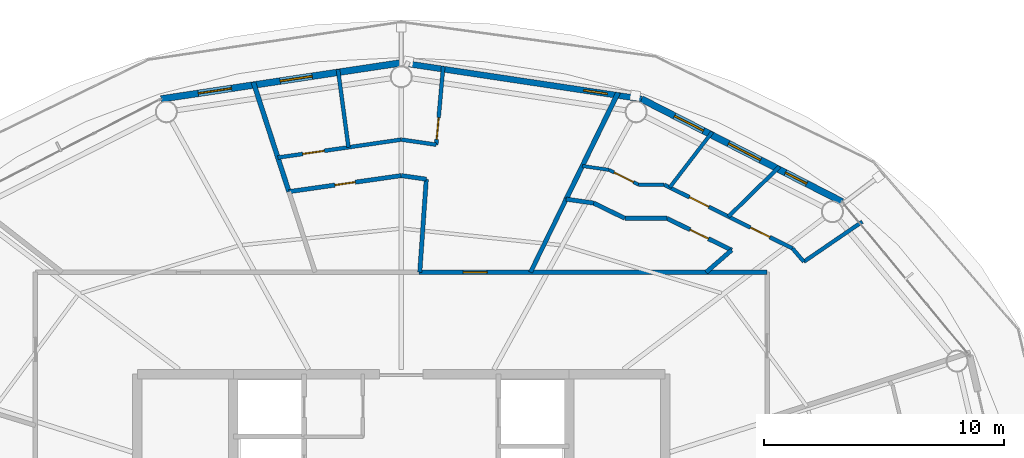
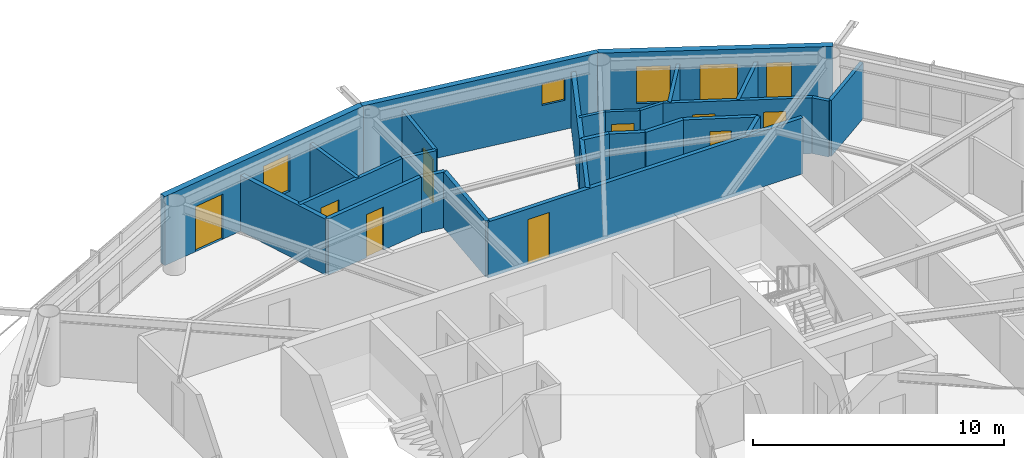
# One storey, part 19 of 23: 27 walls, 9 doors, 5 windows, 14 openings.
"""IFC4 building model written with IfcOpenShell, lengths in metres."""

from ifc_helpers import new_model, si_unit, direction, frame, frame_2d, origin, place, context, subcontext, project, spatial, rectangle, extrude, material, layer, layer_set, type_object, element, fill, save


model = new_model("IFC4")

# Units and contexts
model_context = context("Model", 3, precision=1e-05, world=origin(), true_north=direction((0.0, 1.0)))
body_context = subcontext(model_context, "Body", "Model", "MODEL_VIEW")
ifc_project = project(units=[si_unit("LENGTHUNIT", "METRE"), si_unit("AREAUNIT", "SQUARE_METRE"), si_unit("VOLUMEUNIT", "CUBIC_METRE"), si_unit("PLANEANGLEUNIT", "RADIAN"), si_unit("MASSUNIT", "GRAM", prefix="KILO")], contexts=[model_context])

# Site, building, storey
site_placement = place(None, origin())
site = spatial("IfcSite", under=ifc_project, at=site_placement, CompositionType="ELEMENT")
building_placement = place(site_placement, origin())
building = spatial("IfcBuilding", under=site, at=building_placement, Name="Sarneth Arch Tower", CompositionType="ELEMENT")
storey_placement = place(building_placement, frame((0.0, 0.0, 220.800048828125)))
storey = spatial("IfcBuildingStorey", under=building, at=storey_placement, Name="L56", CompositionType="ELEMENT", Elevation=220.800048828125)

# Wall, opening, door
ifc_material_1 = material(Name="Double steel-stud corridor fire wall", Category="steel")
ifc_layer_1 = layer(ifc_material_1, 0.18994140625)
ifc_layer_set_1 = layer_set([ifc_layer_1], Name="Double steel-stud corridor fire wall")
wall_type_1 = type_object("IfcWallType", Name="WALL-CORR-190", PredefinedType="PARTITIONING", material=ifc_layer_set_1)
wall_1_placement = place(storey_placement, frame((48.740478515625, 53.050048828125, 0.0), z_axis=(0.0, 0.0, 1.0), x_axis=(1.0, 0.0, 0.0)))
wall_1 = element("IfcWall", 1, at=wall_1_placement, inside=storey, type_object=wall_type_1, Name="L56 Interior partition W-L56-TP-003", PredefinedType="PARTITIONING", context=body_context, shape_type="SweptSolid", body=[
    extrude(rectangle(XDim=14.509521484375, YDim=0.18994140625, at=frame_2d((7.2548828125, 0.0))), origin(), (0.0, 0.0, 1.0), 2.719970703125),
])
opening_1_placement = place(wall_1_placement, frame((1.84228515625, 0.0, 0.0)))
opening_1 = element("IfcOpeningElement", 2, at=opening_1_placement, cuts=wall_1, Name="Opening FD-08", PredefinedType="OPENING", context=body_context, shape_type="SweptSolid", body=[
    extrude(rectangle(XDim=1.0, YDim=2.199951171875, at=frame_2d((0.5, 1.10009765625))), frame((0.0, 0.10498046875, 0.0), z_axis=(0.0, -1.0, 0.0), x_axis=(1.0, 0.0, 0.0)), (0.0, 0.0, 1.0), 0.2099609375),
])
ifc_material_2 = material(Name="Hardwood timber acoustic fire door", Category="wood")
door_type_1 = type_object("IfcDoorType", Name="DR-FD60-1000", OperationType="SINGLE_SWING_LEFT", PredefinedType="DOOR", material=ifc_material_2)
door_1_placement = place(opening_1_placement, origin())
door_1 = element("IfcDoor", 3, at=door_1_placement, inside=storey, type_object=door_type_1, Name="L56 Interior door DR-L56-U2-ENT", OperationType="SINGLE_SWING_RIGHT", OverallHeight=2.199951171875, OverallWidth=1.0, PredefinedType="DOOR", context=body_context, shape_type="SweptSolid", body=[
    extrude(rectangle(XDim=1.0, YDim=2.199951171875, at=frame_2d((0.5, 1.10009765625))), frame((0.0, 0.02490234375, 0.0), z_axis=(0.0, -1.0, 0.0), x_axis=(1.0, 0.0, 0.0)), (0.0, 0.0, 1.0), 0.050048828125),
])
fill(opening_1, door_1)

# Wall, opening, window
ifc_material_3 = material(Name="Extruded terracotta rainscreen on Concrete C40/50 backing", Category="masonry")
ifc_layer_2 = layer(ifc_material_3, 0.25)
ifc_layer_set_2 = layer_set([ifc_layer_2], Name="Extruded terracotta rainscreen on Concrete C40/50 backing")
wall_type_2 = type_object("IfcWallType", Name="WALL-EXT-SPAND-250", PredefinedType="SOLIDWALL", material=ifc_layer_set_2)
wall_2_placement = place(storey_placement, frame((58.0126953125, 60.2744140625, 0.0), z_axis=(0.0, 0.0, 1.0), x_axis=(-0.988882522213, 0.148698881169, 0.0)))
wall_2 = element("IfcWall", 4, at=wall_2_placement, inside=storey, type_object=wall_type_2, Name="L56 Terracotta perimeter wall 04", PredefinedType="SOLIDWALL", context=body_context, shape_type="SweptSolid", body=[
    extrude(rectangle(XDim=10.125244140625, YDim=0.25, at=frame_2d((5.0625, 0.0))), origin(), (0.0, 0.0, 1.0), 3.35986328125),
])
opening_2_placement = place(wall_2_placement, frame((1.439697265625, 0.0, 1.419921875)))
opening_2 = element("IfcOpeningElement", 5, at=opening_2_placement, cuts=wall_2, Name="Opening W-14", PredefinedType="OPENING", context=body_context, shape_type="SweptSolid", body=[
    extrude(rectangle(XDim=1.0, YDim=1.050048828125, at=frame_2d((0.5, 0.52490234375))), frame((0.0, 0.135009765625, 0.0), z_axis=(0.0, -1.0, 0.0), x_axis=(1.0, 0.0, 0.0)), (0.0, 0.0, 1.0), 0.27001953125),
])
ifc_material_4 = material(Name="Thermally broken Aluminium 6063-T6 and low-e laminated IGU", Category="aluminium")
window_type_1 = type_object("IfcWindowType", Name="WIN-TWR-1000x1050", PartitioningType="SINGLE_PANEL", PredefinedType="WINDOW", material=ifc_material_4)
window_1_placement = place(opening_2_placement, origin())
window_1 = element("IfcWindow", 6, at=window_1_placement, inside=storey, type_object=window_type_1, Name="L56 Dwelling bedroom window 01", OverallHeight=1.050048828125, OverallWidth=1.0, PartitioningType="SINGLE_PANEL", PredefinedType="WINDOW", context=body_context, shape_type="SweptSolid", body=[
    extrude(rectangle(XDim=1.0, YDim=1.050048828125, at=frame_2d((0.5, 0.52490234375))), frame((0.0, 0.030029296875, 0.0), z_axis=(0.0, -1.0, 0.0), x_axis=(1.0, 0.0, 0.0)), (0.0, 0.0, 1.0), 0.06005859375),
])
fill(opening_2, window_1)

# Wall, openings, windows
ifc_material_5 = material(Name="Extruded terracotta rainscreen on Concrete C40/50 backing", Category="masonry")
ifc_layer_3 = layer(ifc_material_5, 0.280029296875)
ifc_layer_set_3 = layer_set([ifc_layer_3], Name="Extruded terracotta rainscreen on Concrete C40/50 backing")
wall_type_3 = type_object("IfcWallType", Name="WALL-EXT-TERRA-280", PredefinedType="SOLIDWALL", material=ifc_layer_set_3)
wall_3_placement = place(storey_placement, frame((66.382568359375, 55.986572265625, 0.0), z_axis=(0.0, 0.0, 1.0), x_axis=(-0.890007394051, 0.455946091699, 0.0)))
wall_3 = element("IfcWall", 7, at=wall_3_placement, inside=storey, type_object=wall_type_3, Name="L56 Terracotta perimeter wall 03", PredefinedType="SOLIDWALL", context=body_context, shape_type="SweptSolid", body=[
    extrude(rectangle(XDim=9.404296875, YDim=0.280029296875, at=frame_2d((4.7021484375, 0.0))), origin(), (0.0, 0.0, 1.0), 3.35986328125),
])
opening_3_placement = place(wall_3_placement, frame((1.6611328125, 0.0, 0.85009765625)))
opening_3 = element("IfcOpeningElement", 8, at=opening_3_placement, cuts=wall_3, Name="Opening W-11", PredefinedType="OPENING", context=body_context, shape_type="SweptSolid", body=[
    extrude(rectangle(XDim=1.0, YDim=1.800048828125, at=frame_2d((0.5, 0.89990234375))), frame((0.0, 0.14990234375, 0.0), z_axis=(0.0, -1.0, 0.0), x_axis=(1.0, 0.0, 0.0)), (0.0, 0.0, 1.0), 0.300048828125),
])
opening_4_placement = place(wall_3_placement, frame((3.82275390625, 0.0, 0.85009765625)))
opening_4 = element("IfcOpeningElement", 9, at=opening_4_placement, cuts=wall_3, Name="Opening W-07", PredefinedType="OPENING", context=body_context, shape_type="SweptSolid", body=[
    extrude(rectangle(XDim=1.5, YDim=1.800048828125, at=frame_2d((0.75, 0.89990234375))), frame((0.0, 0.14990234375, 0.0), z_axis=(0.0, -1.0, 0.0), x_axis=(1.0, 0.0, 0.0)), (0.0, 0.0, 1.0), 0.300048828125),
])
opening_5_placement = place(wall_3_placement, frame((6.5029296875, 0.0, 0.85009765625)))
opening_5 = element("IfcOpeningElement", 10, at=opening_5_placement, cuts=wall_3, Name="Opening W-08", PredefinedType="OPENING", context=body_context, shape_type="SweptSolid", body=[
    extrude(rectangle(XDim=1.35009765625, YDim=1.800048828125, at=frame_2d((0.675048828125, 0.89990234375))), frame((0.0, 0.14990234375, 0.0), z_axis=(0.0, -1.0, 0.0), x_axis=(1.0, 0.0, 0.0)), (0.0, 0.0, 1.0), 0.300048828125),
])
ifc_material_6 = material(Name="Thermally broken Aluminium 6063-T6 and low-e laminated IGU", Category="aluminium")
window_type_2 = type_object("IfcWindowType", Name="WIN-TWR-1000x1800", PartitioningType="SINGLE_PANEL", PredefinedType="WINDOW", material=ifc_material_6)
window_2_placement = place(opening_3_placement, origin())
window_2 = element("IfcWindow", 11, at=window_2_placement, inside=storey, type_object=window_type_2, Name="L56 Exterior window 03A", OverallHeight=1.800048828125, OverallWidth=1.0, PartitioningType="SINGLE_PANEL", PredefinedType="WINDOW", context=body_context, shape_type="SweptSolid", body=[
    extrude(rectangle(XDim=1.0, YDim=1.800048828125, at=frame_2d((0.5, 0.89990234375))), frame((0.0, 0.030029296875, 0.0), z_axis=(0.0, -1.0, 0.0), x_axis=(1.0, 0.0, 0.0)), (0.0, 0.0, 1.0), 0.06005859375),
])
fill(opening_3, window_2)
ifc_material_7 = material(Name="Thermally broken Aluminium 6063-T6 and low-e laminated IGU", Category="aluminium")
window_type_3 = type_object("IfcWindowType", Name="WIN-TWR-1350x1800", PartitioningType="SINGLE_PANEL", PredefinedType="WINDOW", material=ifc_material_7)
window_3_placement = place(opening_5_placement, origin())
window_3 = element("IfcWindow", 12, at=window_3_placement, inside=storey, type_object=window_type_3, Name="L56 Exterior window 03C", OverallHeight=1.800048828125, OverallWidth=1.35009765625, PartitioningType="SINGLE_PANEL", PredefinedType="WINDOW", context=body_context, shape_type="SweptSolid", body=[
    extrude(rectangle(XDim=1.35009765625, YDim=1.800048828125, at=frame_2d((0.675048828125, 0.89990234375))), frame((0.0, 0.030029296875, 0.0), z_axis=(0.0, -1.0, 0.0), x_axis=(1.0, 0.0, 0.0)), (0.0, 0.0, 1.0), 0.06005859375),
])
fill(opening_5, window_3)
ifc_material_8 = material(Name="Thermally broken Aluminium 6063-T6 and low-e laminated IGU", Category="aluminium")
window_type_4 = type_object("IfcWindowType", Name="WIN-TWR-1500x1800", PartitioningType="SINGLE_PANEL", PredefinedType="WINDOW", material=ifc_material_8)
window_4_placement = place(opening_4_placement, origin())
window_4 = element("IfcWindow", 13, at=window_4_placement, inside=storey, type_object=window_type_4, Name="L56 Exterior window 03B", OverallHeight=1.800048828125, OverallWidth=1.5, PartitioningType="SINGLE_PANEL", PredefinedType="WINDOW", context=body_context, shape_type="SweptSolid", body=[
    extrude(rectangle(XDim=1.5, YDim=1.800048828125, at=frame_2d((0.75, 0.89990234375))), frame((0.0, 0.030029296875, 0.0), z_axis=(0.0, -1.0, 0.0), x_axis=(1.0, 0.0, 0.0)), (0.0, 0.0, 1.0), 0.06005859375),
])
fill(opening_4, window_4)

# Wall, openings, door, window
wall_4_placement = place(storey_placement, frame((48.0, 61.780029296875, 0.0), z_axis=(0.0, 0.0, 1.0), x_axis=(-0.988882522213, -0.148698881169, 0.0)))
wall_4 = element("IfcWall", 14, at=wall_4_placement, inside=storey, type_object=wall_type_3, Name="L56 Terracotta perimeter wall 05", PredefinedType="SOLIDWALL", context=body_context, shape_type="SweptSolid", body=[
    extrude(rectangle(XDim=10.125244140625, YDim=0.280029296875, at=frame_2d((5.0625, 0.0))), origin(), (0.0, 0.0, 1.0), 3.35986328125),
])
opening_6_placement = place(wall_4_placement, frame((3.7578125, 0.0, 0.85009765625)))
opening_6 = element("IfcOpeningElement", 15, at=opening_6_placement, cuts=wall_4, Name="Opening W-08", PredefinedType="OPENING", context=body_context, shape_type="SweptSolid", body=[
    extrude(rectangle(XDim=1.35009765625, YDim=1.800048828125, at=frame_2d((0.675048828125, 0.89990234375))), frame((0.0, 0.14990234375, 0.0), z_axis=(0.0, -1.0, 0.0), x_axis=(1.0, 0.0, 0.0)), (0.0, 0.0, 1.0), 0.300048828125),
])
opening_7_placement = place(wall_4_placement, frame((7.155517578125, 0.0, 0.0)))
opening_7 = element("IfcOpeningElement", 16, at=opening_7_placement, cuts=wall_4, Name="Opening BD-2", PredefinedType="OPENING", context=body_context, shape_type="SweptSolid", body=[
    extrude(rectangle(XDim=1.39990234375, YDim=2.199951171875, at=frame_2d((0.699951171875, 1.10009765625))), frame((0.0, 0.14990234375, 0.0), z_axis=(0.0, -1.0, 0.0), x_axis=(1.0, 0.0, 0.0)), (0.0, 0.0, 1.0), 0.300048828125),
])
ifc_material_9 = material(Name="Thermally broken Aluminium 6063-T6 and laminated safety glass", Category="aluminium")
door_type_2 = type_object("IfcDoorType", Name="DR-BALC-GLZ-1400", OperationType="SINGLE_SWING_LEFT", PredefinedType="DOOR", material=ifc_material_9)
door_2_placement = place(opening_7_placement, origin())
door_2 = element("IfcDoor", 17, at=door_2_placement, inside=storey, type_object=door_type_2, Name="L56 Balcony glazed door 05", OperationType="SINGLE_SWING_LEFT", OverallHeight=2.199951171875, OverallWidth=1.39990234375, PredefinedType="DOOR", context=body_context, shape_type="SweptSolid", body=[
    extrude(rectangle(XDim=1.39990234375, YDim=2.199951171875, at=frame_2d((0.699951171875, 1.10009765625))), frame((0.0, 0.02490234375, 0.0), z_axis=(0.0, -1.0, 0.0), x_axis=(1.0, 0.0, 0.0)), (0.0, 0.0, 1.0), 0.050048828125),
])
fill(opening_7, door_2)
window_5_placement = place(opening_6_placement, origin())
window_5 = element("IfcWindow", 18, at=window_5_placement, inside=storey, type_object=window_type_3, Name="L56 Exterior window 05A", OverallHeight=1.800048828125, OverallWidth=1.35009765625, PartitioningType="SINGLE_PANEL", PredefinedType="WINDOW", context=body_context, shape_type="SweptSolid", body=[
    extrude(rectangle(XDim=1.35009765625, YDim=1.800048828125, at=frame_2d((0.675048828125, 0.89990234375))), frame((0.0, 0.030029296875, 0.0), z_axis=(0.0, -1.0, 0.0), x_axis=(1.0, 0.0, 0.0)), (0.0, 0.0, 1.0), 0.06005859375),
])
fill(opening_6, window_5)

# Wall, opening, door
ifc_material_10 = material(Name="Apartment internal stud partition", Category="gypsum")
ifc_layer_4 = layer(ifc_material_10, 0.139892578125)
ifc_layer_set_4 = layer_set([ifc_layer_4], Name="Apartment internal stud partition")
wall_type_4 = type_object("IfcWallType", Name="WALL-PART-140", PredefinedType="PARTITIONING", material=ifc_layer_set_4)
wall_5_placement = place(storey_placement, frame((56.65478515625, 57.31787109375, 0.0), z_axis=(0.0, 0.0, 1.0), x_axis=(0.895584310315, -0.444891833053, 0.0)))
wall_5 = element("IfcWall", 19, at=wall_5_placement, inside=storey, type_object=wall_type_4, Name="L56 Interior partition W-L56-TP-031", PredefinedType="PARTITIONING", context=body_context, shape_type="SweptSolid", body=[
    extrude(rectangle(XDim=1.388916015625, YDim=0.139892578125, at=frame_2d((0.6943359375, 0.0))), origin(), (0.0, 0.0, 1.0), 2.719970703125),
])
opening_8_placement = place(wall_5_placement, frame((0.244384765625, 0.0, 0.0)))
opening_8 = element("IfcOpeningElement", 20, at=opening_8_placement, cuts=wall_5, Name="Opening ID-01", PredefinedType="OPENING", context=body_context, shape_type="SweptSolid", body=[
    extrude(rectangle(XDim=0.89990234375, YDim=2.10009765625, at=frame_2d((0.449951171875, 1.050048828125))), frame((0.0, 0.079833984375, 0.0), z_axis=(0.0, -1.0, 0.0), x_axis=(1.0, 0.0, 0.0)), (0.0, 0.0, 1.0), 0.159912109375),
])
ifc_material_11 = material(Name="Engineered hardwood flush door", Category="wood")
door_type_3 = type_object("IfcDoorType", Name="DR-INT-900", OperationType="SINGLE_SWING_LEFT", PredefinedType="DOOR", material=ifc_material_11)
door_3_placement = place(opening_8_placement, origin())
door_3 = element("IfcDoor", 21, at=door_3_placement, inside=storey, type_object=door_type_3, Name="L56 Interior door DR-L56-U1-BED2", OperationType="SINGLE_SWING_RIGHT", OverallHeight=2.10009765625, OverallWidth=0.89990234375, PredefinedType="DOOR", context=body_context, shape_type="SweptSolid", body=[
    extrude(rectangle(XDim=0.89990234375, YDim=2.10009765625, at=frame_2d((0.449951171875, 1.050048828125))), frame((0.0, 0.02490234375, 0.0), z_axis=(0.0, -1.0, 0.0), x_axis=(1.0, 0.0, 0.0)), (0.0, 0.0, 1.0), 0.050048828125),
])
fill(opening_8, door_3)

# Walls
wall_6_placement = place(storey_placement, frame((55.5498046875, 57.47900390625, 0.0), z_axis=(0.0, 0.0, 1.0), x_axis=(0.989534281859, -0.144297973051, 0.0)))
element("IfcWall", 22, at=wall_6_placement, inside=storey, type_object=wall_type_4, Name="L56 Interior partition W-L56-TP-030", PredefinedType="PARTITIONING", context=body_context, shape_type="SweptSolid", body=[
    extrude(rectangle(XDim=1.11669921875, YDim=0.139892578125, at=frame_2d((0.558349609375, 0.0))), origin(), (0.0, 0.0, 1.0), 2.719970703125),
])
wall_7_placement = place(storey_placement, frame((57.898681640625, 56.699951171875, 0.0), z_axis=(0.0, 0.0, 1.0), x_axis=(1.0, 0.0, 0.0)))
element("IfcWall", 23, at=wall_7_placement, inside=storey, type_object=wall_type_4, Name="L56 Interior partition W-L56-TP-032", PredefinedType="PARTITIONING", context=body_context, shape_type="SweptSolid", body=[
    extrude(rectangle(XDim=1.065185546875, YDim=0.139892578125, at=frame_2d((0.53271484375, 0.0))), origin(), (0.0, 0.0, 1.0), 2.719970703125),
])
ifc_material_12 = material(Name="Acoustic gypsum stud partition", Category="gypsum")
ifc_layer_5 = layer(ifc_material_12, 0.14990234375)
ifc_layer_set_5 = layer_set([ifc_layer_5], Name="Acoustic gypsum stud partition")
wall_type_5 = type_object("IfcWallType", Name="WALL-PART-150", PredefinedType="PARTITIONING", material=ifc_layer_set_5)
wall_8_placement = place(storey_placement, frame((60.964111328125, 58.89501953125, 0.0), z_axis=(0.0, 0.0, 1.0), x_axis=(-0.608822468724, -0.793306499139, 0.0)))
element("IfcWall", 24, at=wall_8_placement, inside=storey, type_object=wall_type_5, Name="L56 Interior partition W-L56-TP-039", PredefinedType="PARTITIONING", context=body_context, shape_type="SweptSolid", body=[
    extrude(rectangle(XDim=2.91015625, YDim=0.14990234375, at=frame_2d((1.455078125, 0.0))), origin(), (0.0, 0.0, 1.0), 2.719970703125),
])

# Wall, opening, door
ifc_material_13 = material(Name="Kitchen wet service chase wall", Category="gypsum")
ifc_layer_6 = layer(ifc_material_13, 0.159912109375)
ifc_layer_set_6 = layer_set([ifc_layer_6], Name="Kitchen wet service chase wall")
wall_type_6 = type_object("IfcWallType", Name="WALL-PLUMB-160", PredefinedType="PLUMBINGWALL", material=ifc_layer_set_6)
wall_9_placement = place(storey_placement, frame((49.45849609375, 58.3671875, 0.0), z_axis=(0.0, 0.0, 1.0), x_axis=(0.088772560689, 0.996051922577, 0.0)))
wall_9 = element("IfcWall", 25, at=wall_9_placement, inside=storey, type_object=wall_type_6, Name="L56 Interior partition W-L56-TP-043", PredefinedType="PLUMBINGWALL", context=body_context, shape_type="SweptSolid", body=[
    extrude(rectangle(XDim=3.28369140625, YDim=0.159912109375, at=frame_2d((1.641845703125, 0.0))), origin(), (0.0, 0.0, 1.0), 2.719970703125),
])
opening_9_placement = place(wall_9_placement, frame((0.231689453125, 0.0, 0.0)))
opening_9 = element("IfcOpeningElement", 26, at=opening_9_placement, cuts=wall_9, Name="Opening ID-01", PredefinedType="OPENING", context=body_context, shape_type="SweptSolid", body=[
    extrude(rectangle(XDim=0.89990234375, YDim=2.10009765625, at=frame_2d((0.449951171875, 1.050048828125))), frame((0.0, 0.08984375, 0.0), z_axis=(0.0, -1.0, 0.0), x_axis=(1.0, 0.0, 0.0)), (0.0, 0.0, 1.0), 0.179931640625),
])
door_4_placement = place(opening_9_placement, origin())
door_4 = element("IfcDoor", 27, at=door_4_placement, inside=storey, type_object=door_type_3, Name="L56 Interior door DR-L56-U2-KIT", OperationType="SINGLE_SWING_LEFT", OverallHeight=2.10009765625, OverallWidth=0.89990234375, PredefinedType="DOOR", context=body_context, shape_type="SweptSolid", body=[
    extrude(rectangle(XDim=0.89990234375, YDim=2.10009765625, at=frame_2d((0.449951171875, 1.050048828125))), frame((0.0, 0.02490234375, 0.0), z_axis=(0.0, -1.0, 0.0), x_axis=(1.0, 0.0, 0.0)), (0.0, 0.0, 1.0), 0.050048828125),
])
fill(opening_9, door_4)

# Wall
wall_10_placement = place(storey_placement, frame((45.801025390625, 58.25927734375, 0.0), z_axis=(0.0, 0.0, 1.0), x_axis=(-0.13403859548, 0.990976112185, 0.0)))
element("IfcWall", 28, at=wall_10_placement, inside=storey, type_object=wall_type_6, Name="L56 Interior partition W-L56-TP-049", PredefinedType="PLUMBINGWALL", context=body_context, shape_type="SweptSolid", body=[
    extrude(rectangle(XDim=3.27490234375, YDim=0.159912109375, at=frame_2d((1.637451171875, 0.0))), origin(), (0.0, 0.0, 1.0), 2.719970703125),
])

# Wall, openings, doors
wall_11_placement = place(storey_placement, frame((58.964111328125, 56.7001953125, 0.0), z_axis=(0.0, 0.0, 1.0), x_axis=(0.895447007867, -0.445168121166, 0.0)))
wall_11 = element("IfcWall", 29, at=wall_11_placement, inside=storey, type_object=wall_type_6, Name="L56 Interior partition W-L56-TP-021", PredefinedType="PLUMBINGWALL", context=body_context, shape_type="SweptSolid", body=[
    extrude(rectangle(XDim=5.97119140625, YDim=0.159912109375, at=frame_2d((2.985595703125, 0.0))), origin(), (0.0, 0.0, 1.0), 2.719970703125),
])
opening_10_placement = place(wall_11_placement, frame((4.01318359375, 0.0, 0.0)))
opening_10 = element("IfcOpeningElement", 30, at=opening_10_placement, cuts=wall_11, Name="Opening ID-01", PredefinedType="OPENING", context=body_context, shape_type="SweptSolid", body=[
    extrude(rectangle(XDim=0.89990234375, YDim=2.10009765625, at=frame_2d((0.449951171875, 1.050048828125))), frame((0.0, 0.08984375, 0.0), z_axis=(0.0, -1.0, 0.0), x_axis=(1.0, 0.0, 0.0)), (0.0, 0.0, 1.0), 0.179931640625),
])
opening_11_placement = place(wall_11_placement, frame((1.1728515625, 0.0, 0.0)))
opening_11 = element("IfcOpeningElement", 31, at=opening_11_placement, cuts=wall_11, Name="Opening ID-01", PredefinedType="OPENING", context=body_context, shape_type="SweptSolid", body=[
    extrude(rectangle(XDim=0.89990234375, YDim=2.10009765625, at=frame_2d((0.449951171875, 1.050048828125))), frame((0.0, 0.08984375, 0.0), z_axis=(0.0, -1.0, 0.0), x_axis=(1.0, 0.0, 0.0)), (0.0, 0.0, 1.0), 0.179931640625),
])
door_5_placement = place(opening_10_placement, origin())
door_5 = element("IfcDoor", 32, at=door_5_placement, inside=storey, type_object=door_type_3, Name="L56 Interior door DR-L56-U1-KIT", OperationType="SINGLE_SWING_LEFT", OverallHeight=2.10009765625, OverallWidth=0.89990234375, PredefinedType="DOOR", context=body_context, shape_type="SweptSolid", body=[
    extrude(rectangle(XDim=0.89990234375, YDim=2.10009765625, at=frame_2d((0.449951171875, 1.050048828125))), frame((0.0, 0.02490234375, 0.0), z_axis=(0.0, -1.0, 0.0), x_axis=(1.0, 0.0, 0.0)), (0.0, 0.0, 1.0), 0.050048828125),
])
fill(opening_10, door_5)
door_6_placement = place(opening_11_placement, origin())
door_6 = element("IfcDoor", 33, at=door_6_placement, inside=storey, type_object=door_type_3, Name="L56 Interior door DR-L56-U1-BED1", OperationType="SINGLE_SWING_LEFT", OverallHeight=2.10009765625, OverallWidth=0.89990234375, PredefinedType="DOOR", context=body_context, shape_type="SweptSolid", body=[
    extrude(rectangle(XDim=0.89990234375, YDim=2.10009765625, at=frame_2d((0.449951171875, 1.050048828125))), frame((0.0, 0.02490234375, 0.0), z_axis=(0.0, -1.0, 0.0), x_axis=(1.0, 0.0, 0.0)), (0.0, 0.0, 1.0), 0.050048828125),
])
fill(opening_11, door_6)

# Wall, opening, door
wall_12_placement = place(storey_placement, frame((42.8564453125, 57.830078125, 0.0), z_axis=(0.0, 0.0, 1.0), x_axis=(0.989542480506, 0.144241739018, 0.0)))
wall_12 = element("IfcWall", 34, at=wall_12_placement, inside=storey, type_object=wall_type_6, Name="L56 Interior partition W-L56-TP-047", PredefinedType="PLUMBINGWALL", context=body_context, shape_type="SweptSolid", body=[
    extrude(rectangle(XDim=5.197998046875, YDim=0.159912109375, at=frame_2d((2.59912109375, 0.0))), origin(), (0.0, 0.0, 1.0), 2.719970703125),
])
opening_12_placement = place(wall_12_placement, frame((1.0537109375, 0.0, 0.0)))
opening_12 = element("IfcOpeningElement", 35, at=opening_12_placement, cuts=wall_12, Name="Opening ID-01", PredefinedType="OPENING", context=body_context, shape_type="SweptSolid", body=[
    extrude(rectangle(XDim=0.89990234375, YDim=2.10009765625, at=frame_2d((0.449951171875, 1.050048828125))), frame((0.0, 0.08984375, 0.0), z_axis=(0.0, -1.0, 0.0), x_axis=(1.0, 0.0, 0.0)), (0.0, 0.0, 1.0), 0.179931640625),
])
door_7_placement = place(opening_12_placement, origin())
door_7 = element("IfcDoor", 36, at=door_7_placement, inside=storey, type_object=door_type_3, Name="L56 Interior door DR-L56-U2-BED1", OperationType="SINGLE_SWING_LEFT", OverallHeight=2.10009765625, OverallWidth=0.89990234375, PredefinedType="DOOR", context=body_context, shape_type="SweptSolid", body=[
    extrude(rectangle(XDim=0.89990234375, YDim=2.10009765625, at=frame_2d((0.449951171875, 1.050048828125))), frame((0.0, 0.02490234375, 0.0), z_axis=(0.0, -1.0, 0.0), x_axis=(1.0, 0.0, 0.0)), (0.0, 0.0, 1.0), 0.050048828125),
])
fill(opening_12, door_7)

# Walls
wall_13_placement = place(storey_placement, frame((63.767333984375, 57.4541015625, 0.0), z_axis=(0.0, 0.0, 1.0), x_axis=(-0.714203003572, -0.699938618515, 0.0)))
element("IfcWall", 37, at=wall_13_placement, inside=storey, type_object=wall_type_6, Name="L56 Interior partition W-L56-TP-037", PredefinedType="PLUMBINGWALL", context=body_context, shape_type="SweptSolid", body=[
    extrude(rectangle(XDim=2.97802734375, YDim=0.159912109375, at=frame_2d((1.489013671875, 0.0))), origin(), (0.0, 0.0, 1.0), 2.719970703125),
])
wall_14_placement = place(storey_placement, frame((64.782958984375, 53.48876953125, 0.0), z_axis=(0.0, 0.0, 1.0), x_axis=(0.825165456639, 0.564891112666, 0.0)))
element("IfcWall", 38, at=wall_14_placement, inside=storey, type_object=wall_type_6, Name="L56 Interior partition W-L56-TP-023", PredefinedType="PLUMBINGWALL", context=body_context, shape_type="SweptSolid", body=[
    extrude(rectangle(XDim=2.95654296875, YDim=0.159912109375, at=frame_2d((1.478271484375, 0.0))), origin(), (0.0, 0.0, 1.0), 2.719970703125),
])
wall_15_placement = place(storey_placement, frame((48.0, 58.580078125, 0.0), z_axis=(0.0, 0.0, 1.0), x_axis=(0.989514247961, -0.144435290295, 0.0)))
element("IfcWall", 39, at=wall_15_placement, inside=storey, type_object=wall_type_6, Name="L56 Interior partition W-L56-TP-042", PredefinedType="PLUMBINGWALL", context=body_context, shape_type="SweptSolid", body=[
    extrude(rectangle(XDim=1.473876953125, YDim=0.159912109375, at=frame_2d((0.73681640625, 0.0))), origin(), (0.0, 0.0, 1.0), 2.719970703125),
])
wall_16_placement = place(storey_placement, frame((64.31103515625, 54.0419921875, 0.0), z_axis=(0.0, 0.0, 1.0), x_axis=(0.648992334632, -0.760794945823, 0.0)))
element("IfcWall", 40, at=wall_16_placement, inside=storey, type_object=wall_type_6, Name="L56 Interior partition W-L56-TP-022", PredefinedType="PLUMBINGWALL", context=body_context, shape_type="SweptSolid", body=[
    extrude(rectangle(XDim=0.72705078125, YDim=0.159912109375, at=frame_2d((0.363525390625, 0.0))), origin(), (0.0, 0.0, 1.0), 2.719970703125),
])

# Wall, opening, door
ifc_material_14 = material(Name="Moisture-resistant plumbing chase wall", Category="gypsum")
ifc_layer_7 = layer(ifc_material_14, 0.179931640625)
ifc_layer_set_7 = layer_set([ifc_layer_7], Name="Moisture-resistant plumbing chase wall")
wall_type_7 = type_object("IfcWallType", Name="WALL-PLUMB-180", PredefinedType="PLUMBINGWALL", material=ifc_layer_set_7)
wall_17_placement = place(storey_placement, frame((43.31787109375, 56.41015625, 0.0), z_axis=(0.0, 0.0, 1.0), x_axis=(0.989918499483, 0.141638145927, 0.0)))
wall_17 = element("IfcWall", 41, at=wall_17_placement, inside=storey, type_object=wall_type_7, Name="L56 Interior partition W-L56-TP-044", PredefinedType="PLUMBINGWALL", context=body_context, shape_type="SweptSolid", body=[
    extrude(rectangle(XDim=4.729736328125, YDim=0.179931640625, at=frame_2d((2.36474609375, 0.0))), origin(), (0.0, 0.0, 1.0), 2.719970703125),
])
opening_13_placement = place(wall_17_placement, frame((1.93994140625, 0.0, 0.0)))
opening_13 = element("IfcOpeningElement", 42, at=opening_13_placement, cuts=wall_17, Name="Opening ID-02", PredefinedType="OPENING", context=body_context, shape_type="SweptSolid", body=[
    extrude(rectangle(XDim=0.85009765625, YDim=2.10009765625, at=frame_2d((0.425048828125, 1.050048828125))), frame((0.0, 0.099853515625, 0.0), z_axis=(0.0, -1.0, 0.0), x_axis=(1.0, 0.0, 0.0)), (0.0, 0.0, 1.0), 0.199951171875),
])
ifc_material_15 = material(Name="Moisture-resistant bathroom timber door", Category="wood")
door_type_4 = type_object("IfcDoorType", Name="DR-INT-850", OperationType="SINGLE_SWING_RIGHT", PredefinedType="DOOR", material=ifc_material_15)
door_8_placement = place(opening_13_placement, origin())
door_8 = element("IfcDoor", 43, at=door_8_placement, inside=storey, type_object=door_type_4, Name="L56 Interior door DR-L56-U2-BATH", OperationType="SINGLE_SWING_RIGHT", OverallHeight=2.10009765625, OverallWidth=0.85009765625, PredefinedType="DOOR", context=body_context, shape_type="SweptSolid", body=[
    extrude(rectangle(XDim=0.85009765625, YDim=2.10009765625, at=frame_2d((0.425048828125, 1.050048828125))), frame((0.0, 0.02490234375, 0.0), z_axis=(0.0, -1.0, 0.0), x_axis=(1.0, 0.0, 0.0)), (0.0, 0.0, 1.0), 0.050048828125),
])
fill(opening_13, door_8)

# Walls
wall_18_placement = place(storey_placement, frame((49.044189453125, 56.9306640625, 0.0), z_axis=(0.0, 0.0, 1.0), x_axis=(-0.0697885329, -0.997561807948, 0.0)))
element("IfcWall", 44, at=wall_18_placement, inside=storey, type_object=wall_type_7, Name="L56 Interior partition W-L56-TP-046", PredefinedType="PLUMBINGWALL", context=body_context, shape_type="SweptSolid", body=[
    extrude(rectangle(XDim=3.89013671875, YDim=0.179931640625, at=frame_2d((1.945068359375, 0.0))), origin(), (0.0, 0.0, 1.0), 2.719970703125),
])
wall_19_placement = place(storey_placement, frame((54.889892578125, 56.126708984375, 0.0), z_axis=(0.0, 0.0, 1.0), x_axis=(-0.438347749683, -0.898805457453, 0.0)))
element("IfcWall", 45, at=wall_19_placement, inside=storey, type_object=wall_type_7, Name="L56 Interior partition W-L56-TP-038", PredefinedType="PLUMBINGWALL", context=body_context, shape_type="SweptSolid", body=[
    extrude(rectangle(XDim=3.423095703125, YDim=0.179931640625, at=frame_2d((1.71142578125, 0.0))), origin(), (0.0, 0.0, 1.0), 2.719970703125),
])

# Wall, opening, door
wall_20_placement = place(storey_placement, frame((59.069091796875, 55.300048828125, 0.0), z_axis=(0.0, 0.0, 1.0), x_axis=(0.897805130008, -0.440392947867, 0.0)))
wall_20 = element("IfcWall", 46, at=wall_20_placement, inside=storey, type_object=wall_type_7, Name="L56 Interior partition W-L56-TP-027", PredefinedType="PLUMBINGWALL", context=body_context, shape_type="SweptSolid", body=[
    extrude(rectangle(XDim=3.012451171875, YDim=0.179931640625, at=frame_2d((1.50634765625, 0.0))), origin(), (0.0, 0.0, 1.0), 2.719970703125),
])
opening_14_placement = place(wall_20_placement, frame((1.081298828125, 0.0, 0.0)))
opening_14 = element("IfcOpeningElement", 47, at=opening_14_placement, cuts=wall_20, Name="Opening ID-02", PredefinedType="OPENING", context=body_context, shape_type="SweptSolid", body=[
    extrude(rectangle(XDim=0.85009765625, YDim=2.10009765625, at=frame_2d((0.425048828125, 1.050048828125))), frame((0.0, 0.099853515625, 0.0), z_axis=(0.0, -1.0, 0.0), x_axis=(1.0, 0.0, 0.0)), (0.0, 0.0, 1.0), 0.199951171875),
])
door_9_placement = place(opening_14_placement, origin())
door_9 = element("IfcDoor", 48, at=door_9_placement, inside=storey, type_object=door_type_4, Name="L56 Interior door DR-L56-U1-BATH", OperationType="SINGLE_SWING_RIGHT", OverallHeight=2.10009765625, OverallWidth=0.85009765625, PredefinedType="DOOR", context=body_context, shape_type="SweptSolid", body=[
    extrude(rectangle(XDim=0.85009765625, YDim=2.10009765625, at=frame_2d((0.425048828125, 1.050048828125))), frame((0.0, 0.02490234375, 0.0), z_axis=(0.0, -1.0, 0.0), x_axis=(1.0, 0.0, 0.0)), (0.0, 0.0, 1.0), 0.050048828125),
])
fill(opening_14, door_9)

# Walls
wall_21_placement = place(storey_placement, frame((57.32080078125, 55.300048828125, 0.0), z_axis=(0.0, 0.0, 1.0), x_axis=(1.0, 0.0, 0.0)))
element("IfcWall", 49, at=wall_21_placement, inside=storey, type_object=wall_type_7, Name="L56 Interior partition W-L56-TP-026", PredefinedType="PLUMBINGWALL", context=body_context, shape_type="SweptSolid", body=[
    extrude(rectangle(XDim=1.748291015625, YDim=0.179931640625, at=frame_2d((0.8740234375, 0.0))), origin(), (0.0, 0.0, 1.0), 2.719970703125),
])
wall_22_placement = place(storey_placement, frame((56.02392578125, 55.93212890625, 0.0), z_axis=(0.0, 0.0, 1.0), x_axis=(0.898916394035, -0.438120207861, 0.0)))
element("IfcWall", 50, at=wall_22_placement, inside=storey, type_object=wall_type_7, Name="L56 Interior partition W-L56-TP-025", PredefinedType="PLUMBINGWALL", context=body_context, shape_type="SweptSolid", body=[
    extrude(rectangle(XDim=1.442626953125, YDim=0.179931640625, at=frame_2d((0.72119140625, 0.0))), origin(), (0.0, 0.0, 1.0), 2.719970703125),
])
wall_23_placement = place(storey_placement, frame((61.773681640625, 53.973388671875, 0.0), z_axis=(0.0, 0.0, 1.0), x_axis=(-0.7546578079, -0.656118581489, 0.0)))
element("IfcWall", 51, at=wall_23_placement, inside=storey, type_object=wall_type_7, Name="L56 Interior partition W-L56-TP-028", PredefinedType="PLUMBINGWALL", context=body_context, shape_type="SweptSolid", body=[
    extrude(rectangle(XDim=1.4072265625, YDim=0.179931640625, at=frame_2d((0.70361328125, 0.0))), origin(), (0.0, 0.0, 1.0), 2.719970703125),
])
wall_24_placement = place(storey_placement, frame((54.875244140625, 56.096435546875, 0.0), z_axis=(0.0, 0.0, 1.0), x_axis=(0.989924230083, -0.141598088596, 0.0)))
element("IfcWall", 52, at=wall_24_placement, inside=storey, type_object=wall_type_7, Name="L56 Interior partition W-L56-TP-024", PredefinedType="PLUMBINGWALL", context=body_context, shape_type="SweptSolid", body=[
    extrude(rectangle(XDim=1.160400390625, YDim=0.179931640625, at=frame_2d((0.580078125, 0.0))), origin(), (0.0, 0.0, 1.0), 2.719970703125),
])
wall_25_placement = place(storey_placement, frame((48.0, 57.080078125, 0.0), z_axis=(0.0, 0.0, 1.0), x_axis=(0.989917064499, -0.141648174766, 0.0)))
element("IfcWall", 53, at=wall_25_placement, inside=storey, type_object=wall_type_7, Name="L56 Interior partition W-L56-TP-045", PredefinedType="PLUMBINGWALL", context=body_context, shape_type="SweptSolid", body=[
    extrude(rectangle(XDim=1.054931640625, YDim=0.179931640625, at=frame_2d((0.52734375, 0.0))), origin(), (0.0, 0.0, 1.0), 2.719970703125),
])
ifc_material_16 = material(Name="Double steel-stud acoustic drywall", Category="steel")
ifc_layer_8 = layer(ifc_material_16, 0.199951171875)
ifc_layer_set_8 = layer_set([ifc_layer_8], Name="Double steel-stud acoustic drywall")
wall_type_8 = type_object("IfcWallType", Name="WALL-UNIT-200", PredefinedType="PARTITIONING", material=ifc_layer_set_8)
wall_26_placement = place(storey_placement, frame((57.040771484375, 60.536376953125, 0.0), z_axis=(0.0, 0.0, 1.0), x_axis=(-0.438355931311, -0.898801467224, 0.0)))
element("IfcWall", 54, at=wall_26_placement, inside=storey, type_object=wall_type_8, Name="L56 Interior partition W-L56-TP-040", PredefinedType="PARTITIONING", context=body_context, shape_type="SweptSolid", body=[
    extrude(rectangle(XDim=4.9736328125, YDim=0.199951171875, at=frame_2d((2.48681640625, 0.0))), origin(), (0.0, 0.0, 1.0), 2.719970703125),
])
wall_27_placement = place(storey_placement, frame((43.31787109375, 56.41015625, 0.0), z_axis=(0.0, 0.0, 1.0), x_axis=(-0.309012424199, 0.951058001223, 0.0)))
element("IfcWall", 55, at=wall_27_placement, inside=storey, type_object=wall_type_8, Name="L56 Interior partition W-L56-TP-051", PredefinedType="PARTITIONING", context=body_context, shape_type="SweptSolid", body=[
    extrude(rectangle(XDim=4.79736328125, YDim=0.199951171875, at=frame_2d((2.398681640625, 0.0))), origin(), (0.0, 0.0, 1.0), 2.719970703125),
])

save(model, "model.ifc")
